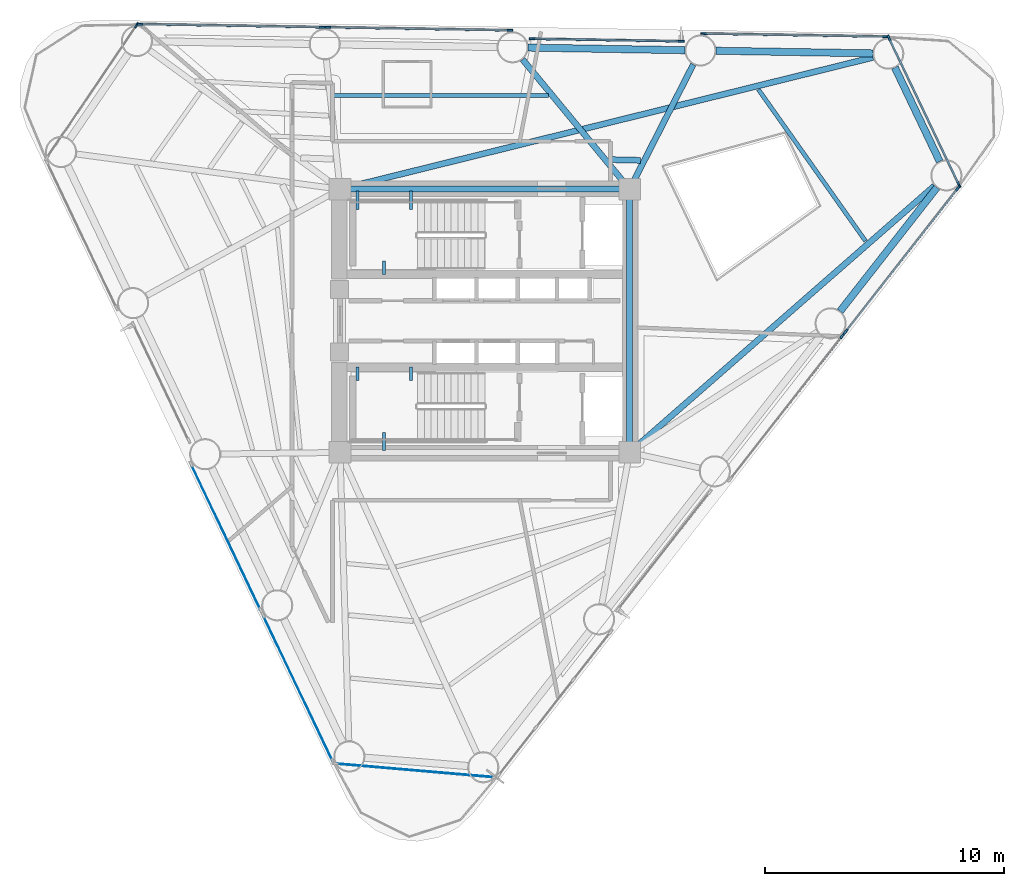
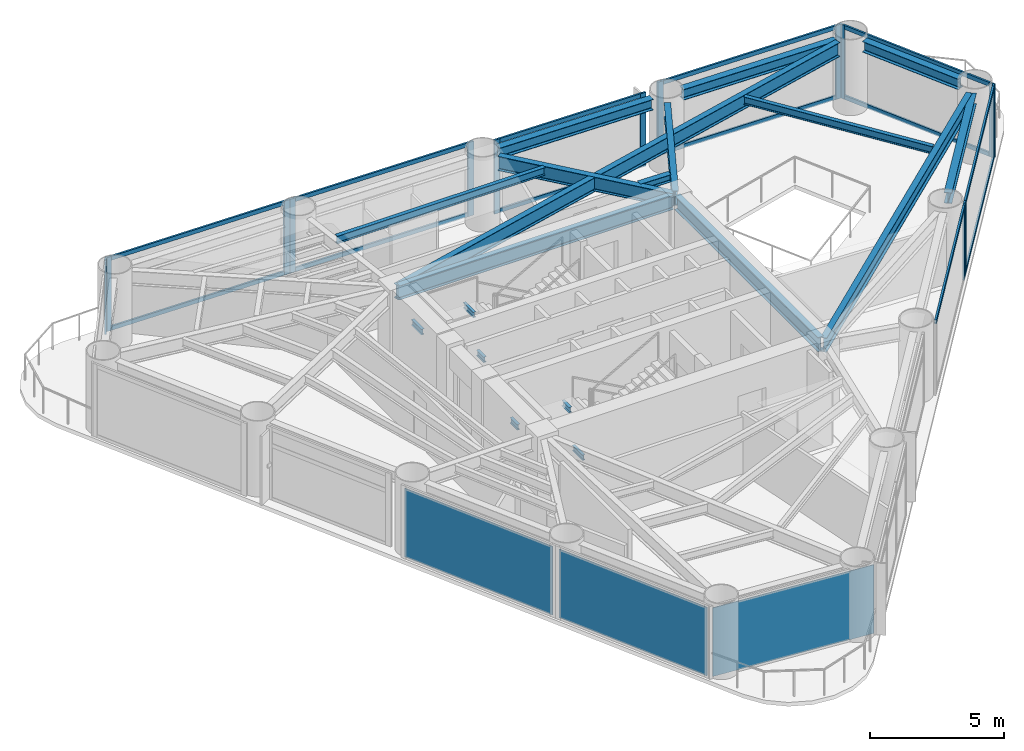
# One storey, part 4 of 10: 28 members, 19 beams, 3 plates, 11 elements without a shape of their own.
"""IFC4 building model written with IfcOpenShell, lengths in metres."""

from ifc_helpers import new_model, si_unit, direction, frame, origin, origin_2d, place, context, subcontext, project, spatial, rectangle, i_section, extrude, source, transform, mapped, material, layer, layer_set, material_profile, profile_set, type_object, element, aggregate, save


model = new_model("IFC4")

# Units and contexts
model_context = context("Model", 3, precision=1e-05, world=origin(), true_north=direction((0.0, 1.0)))
body_context = subcontext(model_context, "Body", "Model", "MODEL_VIEW")
ifc_project = project(units=[si_unit("LENGTHUNIT", "METRE"), si_unit("AREAUNIT", "SQUARE_METRE"), si_unit("VOLUMEUNIT", "CUBIC_METRE"), si_unit("PLANEANGLEUNIT", "RADIAN"), si_unit("MASSUNIT", "GRAM", prefix="KILO")], contexts=[model_context])

# Site, building, storey
site_placement = place(None, origin())
site = spatial("IfcSite", under=ifc_project, at=site_placement, CompositionType="ELEMENT")
building_placement = place(site_placement, origin())
building = spatial("IfcBuilding", under=site, at=building_placement, Name="Yunling Apex Tower", CompositionType="ELEMENT")
storey_placement = place(building_placement, frame((0.0, 0.0, 146.75)))
storey = spatial("IfcBuildingStorey", under=building, at=storey_placement, Name="L36", CompositionType="ELEMENT", Elevation=146.75)

# Beams
ifc_material_1 = material(Name="Steel Q355B", Category="steel")
ifc_material_profile_1 = material_profile(ifc_material_1, i_section(OverallWidth=0.125, OverallDepth=0.25, WebThickness=0.006103515625, FlangeThickness=0.009033203125, FilletRadius=0.011962890625, at=origin_2d()))
ifc_profile_set_1 = profile_set([ifc_material_profile_1], Name="Steel Q355B")
beam_type_1 = type_object("IfcBeamType", Name="BL-LNT-1", PredefinedType="LINTEL", material=ifc_profile_set_1)
shared_shape_1 = source(origin(), body_context, "Body", "SweptSolid", [
    extrude(i_section(OverallWidth=0.125, OverallDepth=0.25, WebThickness=0.006103515625, FlangeThickness=0.009033203125, FilletRadius=0.011962890625, at=origin_2d()), origin(), (0.0, 0.0, 1.0), 0.760009765625),
])
for number, where, z_axis, x_axis, name in (
    (1, (-5.320068359375, 5.419921875, 1.405029296875), (0.0, -1.0, 0.0), (1.0, 0.0, 0.0), "L36 ST-1 Landing Bearing Corbel 1-1"),
    (2, (-3.090087890625, 5.419921875, 1.405029296875), (0.0, -1.0, 0.0), (1.0, 0.0, 0.0), "L36 ST-1 Landing Bearing Corbel 1-2"),
    (3, (-4.205078125, -5.419921875, 1.405029296875), (0.0, 1.0, 0.0), (-1.0, 0.0, 0.0), "L36 ST-2 Landing Bearing Corbel 1-3"),
):
    element("IfcBeam", number, at=place(storey_placement, frame(where, z_axis=z_axis, x_axis=x_axis)), inside=storey, type_object=beam_type_1, Name=name, PredefinedType="LINTEL", context=body_context, shape_type="MappedRepresentation", body=[
        mapped(shared_shape_1, transform((0.0, 0.0, 0.0), scale=1.0)),
    ])
shared_shape_2 = source(origin(), body_context, "Body", "SweptSolid", [
    extrude(i_section(OverallWidth=0.125, OverallDepth=0.25, WebThickness=0.006103515625, FlangeThickness=0.009033203125, FilletRadius=0.011962890625, at=origin_2d()), origin(), (0.0, 0.0, 1.0), 0.550048828125),
])
for number, where, z_axis, x_axis, name in (
    (4, (-4.205078125, 1.93994140625, 1.405029296875), (0.0, 1.0, 0.0), (-1.0, 0.0, 0.0), "L36 ST-1 Landing Bearing Corbel 1-3"),
    (5, (-5.320068359375, -1.93994140625, 1.405029296875), (0.0, -1.0, 0.0), (1.0, 0.0, 0.0), "L36 ST-2 Landing Bearing Corbel 1-1"),
    (6, (-3.090087890625, -1.93994140625, 1.405029296875), (0.0, -1.0, 0.0), (1.0, 0.0, 0.0), "L36 ST-2 Landing Bearing Corbel 1-2"),
):
    element("IfcBeam", number, at=place(storey_placement, frame(where, z_axis=z_axis, x_axis=x_axis)), inside=storey, type_object=beam_type_1, Name=name, PredefinedType="LINTEL", context=body_context, shape_type="MappedRepresentation", body=[
        mapped(shared_shape_2, transform((0.0, 0.0, 0.0), scale=1.0)),
    ])
ifc_material_profile_2 = material_profile(ifc_material_1, i_section(OverallWidth=0.25, OverallDepth=0.64990234375, WebThickness=0.011962890625, FlangeThickness=0.02001953125, FilletRadius=0.02392578125, at=origin_2d()))
ifc_profile_set_2 = profile_set([ifc_material_profile_2], Name="Steel Q355B")
beam_type_2 = type_object("IfcBeamType", Name="BG-PRI-4", PredefinedType="USERDEFINED", material=ifc_profile_set_2)
shared_shape_3 = source(origin(), body_context, "Body", "SweptSolid", [
    extrude(i_section(OverallWidth=0.25, OverallDepth=0.64990234375, WebThickness=0.011962890625, FlangeThickness=0.02001953125, FilletRadius=0.02392578125, at=origin_2d()), origin(), (0.0, 0.0, 1.0), 11.7998046875),
])
beam_1_placement = place(storey_placement, frame((5.89990234375, 5.5, 2.945068359375), z_axis=(-1.0, 0.0, 0.0), x_axis=(0.0, -1.0, 0.0)))
element("IfcBeam", 7, at=beam_1_placement, inside=storey, type_object=beam_type_2, Name="L36 Core Ring Tie Beam 3", ObjectType="GIRDER", PredefinedType="USERDEFINED", context=body_context, shape_type="MappedRepresentation", body=[
    mapped(shared_shape_3, transform((0.0, 0.0, 0.0), scale=1.0)),
])
shared_shape_4 = source(origin(), body_context, "Body", "SweptSolid", [
    extrude(i_section(OverallWidth=0.25, OverallDepth=0.64990234375, WebThickness=0.011962890625, FlangeThickness=0.02001953125, FilletRadius=0.02392578125, at=origin_2d()), origin(), (0.0, 0.0, 1.0), 10.7001953125),
])
beam_2_placement = place(storey_placement, frame((6.050048828125, -5.35009765625, 2.945068359375), z_axis=(0.0, 1.0, 0.0), x_axis=(-1.0, 0.0, 0.0)))
element("IfcBeam", 8, at=beam_2_placement, inside=storey, type_object=beam_type_2, Name="L36 Core Ring Tie Beam 2", ObjectType="GIRDER", PredefinedType="USERDEFINED", context=body_context, shape_type="MappedRepresentation", body=[
    mapped(shared_shape_4, transform((0.0, 0.0, 0.0), scale=1.0)),
])
ifc_material_profile_3 = material_profile(ifc_material_1, i_section(OverallWidth=0.300048828125, OverallDepth=0.489990234375, WebThickness=0.010986328125, FlangeThickness=0.01806640625, FilletRadius=0.02197265625, at=origin_2d()))
ifc_profile_set_3 = profile_set([ifc_material_profile_3], Name="Steel Q355B")
beam_type_3 = type_object("IfcBeamType", Name="BP-SPN-2", PredefinedType="SPANDREL", material=ifc_profile_set_3)
shared_shape_5 = source(origin(), body_context, "Body", "SweptSolid", [
    extrude(i_section(OverallWidth=0.300048828125, OverallDepth=0.489990234375, WebThickness=0.010986328125, FlangeThickness=0.01806640625, FilletRadius=0.02197265625, at=origin_2d()), origin(), (0.0, 0.0, 1.0), 6.562255859375),
])
for number, where, z_axis, x_axis, name in (
    (9, (14.8447265625, 0.400390625, 3.02490234375), (0.616196907529, 0.787592135024, 0.0), (-0.787592135024, 0.616196907529, 0.0), "L36 Perimeter Spandrel Beam 4"),
    (10, (16.214599609375, 11.174560546875, 3.02490234375), (-0.999859845587, 0.016741839275, 0.0), (-0.016741839275, -0.999859845587, 0.0), "L36 Perimeter Spandrel Beam 6"),
):
    element("IfcBeam", number, at=place(storey_placement, frame(where, z_axis=z_axis, x_axis=x_axis)), inside=storey, type_object=beam_type_3, Name=name, PredefinedType="SPANDREL", context=body_context, shape_type="MappedRepresentation", body=[
        mapped(shared_shape_5, transform((0.0, 0.0, 0.0), scale=1.0)),
    ])
shared_shape_6 = source(origin(), body_context, "Body", "SweptSolid", [
    extrude(i_section(OverallWidth=0.300048828125, OverallDepth=0.489990234375, WebThickness=0.010986328125, FlangeThickness=0.01806640625, FilletRadius=0.02197265625, at=origin_2d()), origin(), (0.0, 0.0, 1.0), 6.56201171875),
])
beam_3_placement = place(storey_placement, frame((8.365478515625, 11.305908203125, 3.02490234375), z_axis=(-0.999859211643, 0.016779657083, 0.0), x_axis=(-0.016779657083, -0.999859211643, 0.0)))
element("IfcBeam", 11, at=beam_3_placement, inside=storey, type_object=beam_type_3, Name="L36 Perimeter Spandrel Beam 7", PredefinedType="SPANDREL", context=body_context, shape_type="MappedRepresentation", body=[
    mapped(shared_shape_6, transform((0.0, 0.0, 0.0), scale=1.0)),
])
shared_shape_7 = source(origin(), body_context, "Body", "SweptSolid", [
    extrude(i_section(OverallWidth=0.300048828125, OverallDepth=0.489990234375, WebThickness=0.010986328125, FlangeThickness=0.01806640625, FilletRadius=0.02197265625, at=origin_2d()), origin(), (0.0, 0.0, 1.0), 4.348876953125),
])
beam_4_placement = place(storey_placement, frame((19.0078125, 6.6572265625, 3.02490234375), z_axis=(-0.430473932145, 0.902603010046, 0.0), x_axis=(-0.902603010046, -0.430473932145, 0.0)))
element("IfcBeam", 12, at=beam_4_placement, inside=storey, type_object=beam_type_3, Name="L36 Perimeter Spandrel Beam 5", PredefinedType="SPANDREL", context=body_context, shape_type="MappedRepresentation", body=[
    mapped(shared_shape_7, transform((0.0, 0.0, 0.0), scale=1.0)),
])
shared_shape_8 = source(origin(), body_context, "Body", "SweptSolid", [
    extrude(i_section(OverallWidth=0.25, OverallDepth=0.64990234375, WebThickness=0.011962890625, FlangeThickness=0.02001953125, FilletRadius=0.02392578125, at=origin_2d()), origin(), (0.0, 0.0, 1.0), 16.84521484375),
])
beam_5_placement = place(storey_placement, frame((18.789794921875, 5.642822265625, 2.945068359375), z_axis=(-0.75271314446, -0.658348632684, 0.0), x_axis=(0.658348632684, -0.75271314446, 0.0)))
element("IfcBeam", 13, at=beam_5_placement, inside=storey, type_object=beam_type_2, Name="L36 Radial Primary Girder R05", ObjectType="GIRDER", PredefinedType="USERDEFINED", context=body_context, shape_type="MappedRepresentation", body=[
    mapped(shared_shape_8, transform((0.0, 0.0, 0.0), scale=1.0)),
])
shared_shape_9 = source(origin(), body_context, "Body", "SweptSolid", [
    extrude(i_section(OverallWidth=0.25, OverallDepth=0.64990234375, WebThickness=0.011962890625, FlangeThickness=0.02001953125, FilletRadius=0.02392578125, at=origin_2d()), origin(), (0.0, 0.0, 1.0), 22.860107421875),
])
beam_6_placement = place(storey_placement, frame((16.219482421875, 11.005859375, 2.945068359375), z_axis=(-0.970771198537, -0.240006833426, 0.0), x_axis=(0.240006833426, -0.970771198537, 0.0)))
element("IfcBeam", 14, at=beam_6_placement, inside=storey, type_object=beam_type_2, Name="L36 Radial Primary Girder R06", ObjectType="GIRDER", PredefinedType="USERDEFINED", context=body_context, shape_type="MappedRepresentation", body=[
    mapped(shared_shape_9, transform((0.0, 0.0, 0.0), scale=1.0)),
])
shared_shape_10 = source(origin(), body_context, "Body", "SweptSolid", [
    extrude(i_section(OverallWidth=0.25, OverallDepth=0.64990234375, WebThickness=0.011962890625, FlangeThickness=0.02001953125, FilletRadius=0.02392578125, at=origin_2d()), origin(), (0.0, 0.0, 1.0), 5.76904296875),
])
beam_7_placement = place(storey_placement, frame((8.710205078125, 10.709228515625, 2.945068359375), z_axis=(-0.454797867462, -0.890594688819, 0.0), x_axis=(0.890594688819, -0.454797867462, 0.0)))
element("IfcBeam", 15, at=beam_7_placement, inside=storey, type_object=beam_type_2, Name="L36 Radial Primary Girder R07", ObjectType="GIRDER", PredefinedType="USERDEFINED", context=body_context, shape_type="MappedRepresentation", body=[
    mapped(shared_shape_10, transform((0.0, 0.0, 0.0), scale=1.0)),
])
shared_shape_11 = source(origin(), body_context, "Body", "SweptSolid", [
    extrude(i_section(OverallWidth=0.25, OverallDepth=0.64990234375, WebThickness=0.011962890625, FlangeThickness=0.02001953125, FilletRadius=0.02392578125, at=origin_2d()), origin(), (0.0, 0.0, 1.0), 6.9453125),
])
beam_8_placement = place(storey_placement, frame((1.5791015625, 10.919189453125, 2.945068359375), z_axis=(0.636387137961, -0.771369827409, 0.0), x_axis=(0.771369827409, 0.636387137961, 0.0)))
element("IfcBeam", 16, at=beam_8_placement, inside=storey, type_object=beam_type_2, Name="L36 Radial Primary Girder R08", ObjectType="GIRDER", PredefinedType="USERDEFINED", context=body_context, shape_type="MappedRepresentation", body=[
    mapped(shared_shape_11, transform((0.0, 0.0, 0.0), scale=1.0)),
])
ifc_material_profile_4 = material_profile(ifc_material_1, i_section(OverallWidth=0.175048828125, OverallDepth=0.35009765625, WebThickness=0.007080078125, FlangeThickness=0.010986328125, FilletRadius=0.013916015625, at=origin_2d()))
ifc_profile_set_4 = profile_set([ifc_material_profile_4], Name="Steel Q355B")
beam_type_4 = type_object("IfcBeamType", Name="BJ-JST-1", PredefinedType="JOIST", material=ifc_profile_set_4)
shared_shape_12 = source(origin(), body_context, "Body", "SweptSolid", [
    extrude(i_section(OverallWidth=0.175048828125, OverallDepth=0.35009765625, WebThickness=0.007080078125, FlangeThickness=0.010986328125, FilletRadius=0.013916015625, at=origin_2d()), origin(), (0.0, 0.0, 1.0), 7.7578125),
])
beam_9_placement = place(storey_placement, frame((15.907958984375, 3.33349609375, 3.094970703125), z_axis=(-0.577260058065, 0.816560362351, 0.0), x_axis=(-0.816560362351, -0.577260058065, 0.0)))
element("IfcBeam", 17, at=beam_9_placement, inside=storey, type_object=beam_type_4, Name="L36 Composite Floor Joist BJ1-5", PredefinedType="JOIST", context=body_context, shape_type="MappedRepresentation", body=[
    mapped(shared_shape_12, transform((0.0, 0.0, 0.0), scale=1.0)),
])
ifc_material_profile_5 = material_profile(ifc_material_1, i_section(OverallWidth=0.25, OverallDepth=0.340087890625, WebThickness=0.009033203125, FlangeThickness=0.013916015625, FilletRadius=0.01806640625, at=origin_2d()))
ifc_profile_set_5 = profile_set([ifc_material_profile_5], Name="Steel Q355B")
beam_type_5 = type_object("IfcBeamType", Name="BJ-JST-2", PredefinedType="JOIST", material=ifc_profile_set_5)
shared_shape_13 = source(origin(), body_context, "Body", "SweptSolid", [
    extrude(i_section(OverallWidth=0.25, OverallDepth=0.340087890625, WebThickness=0.009033203125, FlangeThickness=0.013916015625, FilletRadius=0.01806640625, at=origin_2d()), origin(), (0.0, 0.0, 1.0), 1.3173828125),
])
beam_10_placement = place(storey_placement, frame((6.503662109375, 6.705322265625, 3.10009765625), z_axis=(-0.999718560735, 0.023723391875, 0.0), x_axis=(-0.023723391875, -0.999718560735, 0.0)))
element("IfcBeam", 18, at=beam_10_placement, inside=storey, type_object=beam_type_5, Name="L36 Composite Floor Joist BJ2-7", PredefinedType="JOIST", context=body_context, shape_type="MappedRepresentation", body=[
    mapped(shared_shape_13, transform((0.0, 0.0, 0.0), scale=1.0)),
])
shared_shape_14 = source(origin(), body_context, "Body", "SweptSolid", [
    extrude(i_section(OverallWidth=0.175048828125, OverallDepth=0.35009765625, WebThickness=0.007080078125, FlangeThickness=0.010986328125, FilletRadius=0.013916015625, at=origin_2d()), origin(), (0.0, 0.0, 1.0), 8.959228515625),
])
beam_11_placement = place(storey_placement, frame((2.65673828125, 9.4189453125, 3.094970703125), z_axis=(-0.99999980359, -0.000626754107, 0.0), x_axis=(0.000626754107, -0.99999980359, 0.0)))
element("IfcBeam", 19, at=beam_11_placement, inside=storey, type_object=beam_type_4, Name="L36 Composite Floor Joist BJ1-8", PredefinedType="JOIST", context=body_context, shape_type="MappedRepresentation", body=[
    mapped(shared_shape_14, transform((0.0, 0.0, 0.0), scale=1.0)),
])

# Curtain wall, member
ifc_material_2 = material(Name="Bronze anodised aluminium", Category="aluminium")
ifc_layer_1 = layer(ifc_material_2, 0.239990234375)
ifc_layer_set_1 = layer_set([ifc_layer_1], Name="Bronze anodised aluminium")
curtain_wall_type = type_object("IfcCurtainWallType", Name="CW-SYS-3", PredefinedType="NOTDEFINED", material=ifc_layer_set_1)
curtain_wall_1_placement = place(storey_placement, origin())
curtain_wall_1 = element("IfcCurtainWall", 20, at=curtain_wall_1_placement, inside=storey, type_object=curtain_wall_type, Name="CW-L36-F1-B3", PredefinedType="NOTDEFINED")
ifc_material_profile_6 = material_profile(ifc_material_2, rectangle(XDim=0.080078125, YDim=0.239990234375, at=origin_2d()))
ifc_profile_set_6 = profile_set([ifc_material_profile_6], Name="Bronze anodised aluminium")
member_type_1 = type_object("IfcMemberType", Name="CW-MUL-3", PredefinedType="MULLION", material=ifc_profile_set_6)
shared_shape_15 = source(origin(), body_context, "Body", "SweptSolid", [
    extrude(rectangle(XDim=0.080078125, YDim=0.239990234375, at=origin_2d()), origin(), (0.0, 0.0, 1.0), 3.3701171875),
])
member_1_placement = place(storey_placement, frame((14.93310546875, -0.638671875, -0.050048828125), z_axis=(0.0, 0.0, 1.0), x_axis=(-0.787583748686, 0.616207626377, 0.0)))
member_1 = element("IfcMember", 21, at=member_1_placement, type_object=member_type_1, Name="CW-SYS-3 mullion 2", PredefinedType="MULLION", context=body_context, shape_type="MappedRepresentation", body=[
    mapped(shared_shape_15, transform((0.0, 0.0, 0.0), scale=1.0)),
])

# Curtain wall, members
curtain_wall_2_placement = place(storey_placement, origin())
curtain_wall_2 = element("IfcCurtainWall", 22, at=curtain_wall_2_placement, inside=storey, type_object=curtain_wall_type, Name="CW-L36-F1-B4", PredefinedType="NOTDEFINED")
member_2_placement = place(storey_placement, frame((15.0810546875, -0.44970703125, -0.050048828125), z_axis=(0.0, 0.0, 1.0), x_axis=(-0.787583748686, 0.616207626377, 0.0)))
member_2 = element("IfcMember", 23, at=member_2_placement, type_object=member_type_1, Name="CW-SYS-3 mullion 1", PredefinedType="MULLION", context=body_context, shape_type="MappedRepresentation", body=[
    mapped(shared_shape_15, transform((0.0, 0.0, 0.0), scale=1.0)),
])
member_3_placement = place(storey_placement, frame((19.770263671875, 5.5439453125, -0.050048828125), z_axis=(0.0, 0.0, 1.0), x_axis=(-0.787583748686, 0.616207626377, 0.0)))
member_3 = element("IfcMember", 24, at=member_3_placement, type_object=member_type_1, Name="CW-SYS-3 mullion 2", PredefinedType="MULLION", context=body_context, shape_type="MappedRepresentation", body=[
    mapped(shared_shape_15, transform((0.0, 0.0, 0.0), scale=1.0)),
])

curtain_wall_3_placement = place(storey_placement, origin())
curtain_wall_3 = element("IfcCurtainWall", 25, at=curtain_wall_3_placement, inside=storey, type_object=curtain_wall_type, Name="CW-L36-CRN1", PredefinedType="NOTDEFINED")
member_4_placement = place(storey_placement, frame((19.811279296875, 5.68701171875, -0.050048828125), z_axis=(0.0, 0.0, 1.0), x_axis=(-0.902581673296, -0.430518667458, 0.0)))
member_4 = element("IfcMember", 26, at=member_4_placement, type_object=member_type_1, Name="CW-SYS-3 mullion 1", PredefinedType="MULLION", context=body_context, shape_type="MappedRepresentation", body=[
    mapped(shared_shape_15, transform((0.0, 0.0, 0.0), scale=1.0)),
])
member_5_placement = place(storey_placement, frame((16.88720703125, 11.8173828125, -0.050048828125), z_axis=(0.0, 0.0, 1.0), x_axis=(-0.902581673296, -0.430518667458, 0.0)))
member_5 = element("IfcMember", 27, at=member_5_placement, type_object=member_type_1, Name="CW-SYS-3 mullion 2", PredefinedType="MULLION", context=body_context, shape_type="MappedRepresentation", body=[
    mapped(shared_shape_15, transform((0.0, 0.0, 0.0), scale=1.0)),
])

curtain_wall_4_placement = place(storey_placement, origin())
curtain_wall_4 = element("IfcCurtainWall", 28, at=curtain_wall_4_placement, inside=storey, type_object=curtain_wall_type, Name="CW-L36-F2-B1", PredefinedType="NOTDEFINED")
member_6_placement = place(storey_placement, frame((16.75048828125, 11.87548828125, -0.050048828125), z_axis=(0.0, 0.0, 1.0), x_axis=(-0.016761635477, -0.99985951392, 0.0)))
member_6 = element("IfcMember", 29, at=member_6_placement, type_object=member_type_1, Name="CW-SYS-3 mullion 1", PredefinedType="MULLION", context=body_context, shape_type="MappedRepresentation", body=[
    mapped(shared_shape_15, transform((0.0, 0.0, 0.0), scale=1.0)),
])
member_7_placement = place(storey_placement, frame((9.141357421875, 12.003173828125, -0.050048828125), z_axis=(0.0, 0.0, 1.0), x_axis=(-0.016761635477, -0.99985951392, 0.0)))
member_7 = element("IfcMember", 30, at=member_7_placement, type_object=member_type_1, Name="CW-SYS-3 mullion 2", PredefinedType="MULLION", context=body_context, shape_type="MappedRepresentation", body=[
    mapped(shared_shape_15, transform((0.0, 0.0, 0.0), scale=1.0)),
])

curtain_wall_5_placement = place(storey_placement, origin())
curtain_wall_5 = element("IfcCurtainWall", 31, at=curtain_wall_5_placement, inside=storey, type_object=curtain_wall_type, Name="CW-L36-F2-B2", PredefinedType="NOTDEFINED")
member_8_placement = place(storey_placement, frame((8.205810546875, 11.6787109375, -0.050048828125), z_axis=(0.0, 0.0, 1.0), x_axis=(-0.016766539529, -0.999859431696, 0.0)))
member_8 = element("IfcMember", 32, at=member_8_placement, type_object=member_type_1, Name="CW-SYS-3 mullion 1", PredefinedType="MULLION", context=body_context, shape_type="MappedRepresentation", body=[
    mapped(shared_shape_15, transform((0.0, 0.0, 0.0), scale=1.0)),
])
member_9_placement = place(storey_placement, frame((1.9765625, 11.783203125, -0.050048828125), z_axis=(0.0, 0.0, 1.0), x_axis=(-0.016766539529, -0.999859431696, 0.0)))
member_9 = element("IfcMember", 33, at=member_9_placement, type_object=member_type_1, Name="CW-SYS-3 mullion 2", PredefinedType="MULLION", context=body_context, shape_type="MappedRepresentation", body=[
    mapped(shared_shape_15, transform((0.0, 0.0, 0.0), scale=1.0)),
])

curtain_wall_6_placement = place(storey_placement, origin())
curtain_wall_6 = element("IfcCurtainWall", 34, at=curtain_wall_6_placement, inside=storey, type_object=curtain_wall_type, Name="CW-L36-F2-B3", PredefinedType="NOTDEFINED")
member_10_placement = place(storey_placement, frame((1.052490234375, 12.138671875, -0.050048828125), z_axis=(0.0, 0.0, 1.0), x_axis=(-0.016761635477, -0.99985951392, 0.0)))
member_10 = element("IfcMember", 35, at=member_10_placement, type_object=member_type_1, Name="CW-SYS-3 mullion 1", PredefinedType="MULLION", context=body_context, shape_type="MappedRepresentation", body=[
    mapped(shared_shape_15, transform((0.0, 0.0, 0.0), scale=1.0)),
])
member_11_placement = place(storey_placement, frame((-6.556640625, 12.266357421875, -0.050048828125), z_axis=(0.0, 0.0, 1.0), x_axis=(-0.016761635477, -0.99985951392, 0.0)))
member_11 = element("IfcMember", 36, at=member_11_placement, type_object=member_type_1, Name="CW-SYS-3 mullion 2", PredefinedType="MULLION", context=body_context, shape_type="MappedRepresentation", body=[
    mapped(shared_shape_15, transform((0.0, 0.0, 0.0), scale=1.0)),
])

curtain_wall_7_placement = place(storey_placement, origin())
curtain_wall_7 = element("IfcCurtainWall", 37, at=curtain_wall_7_placement, inside=storey, type_object=curtain_wall_type, Name="CW-L36-F2-B4", PredefinedType="NOTDEFINED")
member_12_placement = place(storey_placement, frame((-6.796630859375, 12.270263671875, -0.050048828125), z_axis=(0.0, 0.0, 1.0), x_axis=(-0.016761635477, -0.99985951392, 0.0)))
member_12 = element("IfcMember", 38, at=member_12_placement, type_object=member_type_1, Name="CW-SYS-3 mullion 1", PredefinedType="MULLION", context=body_context, shape_type="MappedRepresentation", body=[
    mapped(shared_shape_15, transform((0.0, 0.0, 0.0), scale=1.0)),
])
member_13_placement = place(storey_placement, frame((-14.40576171875, 12.39794921875, -0.050048828125), z_axis=(0.0, 0.0, 1.0), x_axis=(-0.016761635477, -0.99985951392, 0.0)))
member_13 = element("IfcMember", 39, at=member_13_placement, type_object=member_type_1, Name="CW-SYS-3 mullion 2", PredefinedType="MULLION", context=body_context, shape_type="MappedRepresentation", body=[
    mapped(shared_shape_15, transform((0.0, 0.0, 0.0), scale=1.0)),
])

# Curtain wall, member
curtain_wall_8_placement = place(storey_placement, origin())
curtain_wall_8 = element("IfcCurtainWall", 40, at=curtain_wall_8_placement, inside=storey, type_object=curtain_wall_type, Name="CW-L36-CRN2", PredefinedType="NOTDEFINED")
member_14_placement = place(storey_placement, frame((-14.54833984375, 12.3466796875, -0.050048828125), z_axis=(0.0, 0.0, 1.0), x_axis=(0.82813882115, -0.560523052964, 0.0)))
member_14 = element("IfcMember", 41, at=member_14_placement, type_object=member_type_1, Name="CW-SYS-3 mullion 1", PredefinedType="MULLION", context=body_context, shape_type="MappedRepresentation", body=[
    mapped(shared_shape_15, transform((0.0, 0.0, 0.0), scale=1.0)),
])
aggregate(curtain_wall_8, [member_14])

# Member
ifc_material_profile_7 = material_profile(ifc_material_2, rectangle(XDim=0.080078125, YDim=0.18505859375, at=origin_2d()))
ifc_profile_set_7 = profile_set([ifc_material_profile_7], Name="Bronze anodised aluminium")
member_type_2 = type_object("IfcMemberType", Name="CW-TRN-3", PredefinedType="USERDEFINED", material=ifc_profile_set_7)
shared_shape_16 = source(origin(), body_context, "Body", "SweptSolid", [
    extrude(rectangle(XDim=0.080078125, YDim=0.18505859375, at=origin_2d()), origin(), (0.0, 0.0, 1.0), 7.5380859375),
])
member_15_placement = place(storey_placement, frame((10.265869140625, -6.603759765625, 3.22998046875), z_axis=(0.616213940974, 0.787578808088, 0.0), x_axis=(-0.787578808088, 0.616213940974, 0.0)))
member_15 = element("IfcMember", 42, at=member_15_placement, type_object=member_type_2, Name="CW-SYS-3 transom 1.2", ObjectType="TRANSOM", PredefinedType="USERDEFINED", context=body_context, shape_type="MappedRepresentation", body=[
    mapped(shared_shape_16, transform((0.0, 0.0, 0.0), scale=1.0)),
])

aggregate(curtain_wall_1, [member_1, member_15])

member_16_placement = place(storey_placement, frame((15.10302734375, -0.421142578125, 0.0400390625), z_axis=(0.616213940974, 0.787578808088, 0.0), x_axis=(-0.787578808088, 0.616213940974, 0.0)))
member_16 = element("IfcMember", 43, at=member_16_placement, type_object=member_type_2, Name="CW-SYS-3 transom 1.1", ObjectType="TRANSOM", PredefinedType="USERDEFINED", context=body_context, shape_type="MappedRepresentation", body=[
    mapped(shared_shape_16, transform((0.0, 0.0, 0.0), scale=1.0)),
])

member_17_placement = place(storey_placement, frame((15.10302734375, -0.421142578125, 3.22998046875), z_axis=(0.616213940974, 0.787578808088, 0.0), x_axis=(-0.787578808088, 0.616213940974, 0.0)))
member_17 = element("IfcMember", 44, at=member_17_placement, type_object=member_type_2, Name="CW-SYS-3 transom 1.2", ObjectType="TRANSOM", PredefinedType="USERDEFINED", context=body_context, shape_type="MappedRepresentation", body=[
    mapped(shared_shape_16, transform((0.0, 0.0, 0.0), scale=1.0)),
])

aggregate(curtain_wall_2, [member_2, member_3, member_16, member_17])

member_18_placement = place(storey_placement, frame((16.71435546875, 11.876220703125, 0.0400390625), z_axis=(-0.999859805743, 0.016744218696, 0.0), x_axis=(-0.016744218696, -0.999859805743, 0.0)))
member_18 = element("IfcMember", 45, at=member_18_placement, type_object=member_type_2, Name="CW-SYS-3 transom 1.1", ObjectType="TRANSOM", PredefinedType="USERDEFINED", context=body_context, shape_type="MappedRepresentation", body=[
    mapped(shared_shape_16, transform((0.0, 0.0, 0.0), scale=1.0)),
])

member_19_placement = place(storey_placement, frame((16.71435546875, 11.876220703125, 3.22998046875), z_axis=(-0.999859805743, 0.016744218696, 0.0), x_axis=(-0.016744218696, -0.999859805743, 0.0)))
member_19 = element("IfcMember", 46, at=member_19_placement, type_object=member_type_2, Name="CW-SYS-3 transom 1.2", ObjectType="TRANSOM", PredefinedType="USERDEFINED", context=body_context, shape_type="MappedRepresentation", body=[
    mapped(shared_shape_16, transform((0.0, 0.0, 0.0), scale=1.0)),
])

aggregate(curtain_wall_4, [member_6, member_7, member_18, member_19])

member_20_placement = place(storey_placement, frame((1.016357421875, 12.139404296875, 0.0400390625), z_axis=(-0.999859805743, 0.016744218696, 0.0), x_axis=(-0.016744218696, -0.999859805743, 0.0)))
member_20 = element("IfcMember", 47, at=member_20_placement, type_object=member_type_2, Name="CW-SYS-3 transom 1.1", ObjectType="TRANSOM", PredefinedType="USERDEFINED", context=body_context, shape_type="MappedRepresentation", body=[
    mapped(shared_shape_16, transform((0.0, 0.0, 0.0), scale=1.0)),
])

member_21_placement = place(storey_placement, frame((1.016357421875, 12.139404296875, 3.22998046875), z_axis=(-0.999859805743, 0.016744218696, 0.0), x_axis=(-0.016744218696, -0.999859805743, 0.0)))
member_21 = element("IfcMember", 48, at=member_21_placement, type_object=member_type_2, Name="CW-SYS-3 transom 1.2", ObjectType="TRANSOM", PredefinedType="USERDEFINED", context=body_context, shape_type="MappedRepresentation", body=[
    mapped(shared_shape_16, transform((0.0, 0.0, 0.0), scale=1.0)),
])

aggregate(curtain_wall_6, [member_10, member_11, member_20, member_21])

member_22_placement = place(storey_placement, frame((-6.83251953125, 12.27099609375, 0.0400390625), z_axis=(-0.999859805743, 0.016744218696, 0.0), x_axis=(-0.016744218696, -0.999859805743, 0.0)))
member_22 = element("IfcMember", 49, at=member_22_placement, type_object=member_type_2, Name="CW-SYS-3 transom 1.1", ObjectType="TRANSOM", PredefinedType="USERDEFINED", context=body_context, shape_type="MappedRepresentation", body=[
    mapped(shared_shape_16, transform((0.0, 0.0, 0.0), scale=1.0)),
])

member_23_placement = place(storey_placement, frame((-6.83251953125, 12.27099609375, 3.22998046875), z_axis=(-0.999859805743, 0.016744218696, 0.0), x_axis=(-0.016744218696, -0.999859805743, 0.0)))
member_23 = element("IfcMember", 50, at=member_23_placement, type_object=member_type_2, Name="CW-SYS-3 transom 1.2", ObjectType="TRANSOM", PredefinedType="USERDEFINED", context=body_context, shape_type="MappedRepresentation", body=[
    mapped(shared_shape_16, transform((0.0, 0.0, 0.0), scale=1.0)),
])

aggregate(curtain_wall_7, [member_12, member_13, member_22, member_23])

shared_shape_17 = source(origin(), body_context, "Body", "SweptSolid", [
    extrude(rectangle(XDim=0.080078125, YDim=0.18505859375, at=origin_2d()), origin(), (0.0, 0.0, 1.0), 6.719970703125),
])
member_24_placement = place(storey_placement, frame((19.7958984375, 5.719482421875, 0.0400390625), z_axis=(-0.430511684766, 0.902585003908, 0.0), x_axis=(-0.902585003908, -0.430511684766, 0.0)))
member_24 = element("IfcMember", 51, at=member_24_placement, type_object=member_type_2, Name="CW-SYS-3 transom 1.1", ObjectType="TRANSOM", PredefinedType="USERDEFINED", context=body_context, shape_type="MappedRepresentation", body=[
    mapped(shared_shape_17, transform((0.0, 0.0, 0.0), scale=1.0)),
])

member_25_placement = place(storey_placement, frame((19.7958984375, 5.719482421875, 3.22998046875), z_axis=(-0.430511684766, 0.902585003908, 0.0), x_axis=(-0.902585003908, -0.430511684766, 0.0)))
member_25 = element("IfcMember", 52, at=member_25_placement, type_object=member_type_2, Name="CW-SYS-3 transom 1.2", ObjectType="TRANSOM", PredefinedType="USERDEFINED", context=body_context, shape_type="MappedRepresentation", body=[
    mapped(shared_shape_17, transform((0.0, 0.0, 0.0), scale=1.0)),
])

aggregate(curtain_wall_3, [member_4, member_5, member_24, member_25])

shared_shape_18 = source(origin(), body_context, "Body", "SweptSolid", [
    extrude(rectangle(XDim=0.080078125, YDim=0.18505859375, at=origin_2d()), origin(), (0.0, 0.0, 1.0), 6.158447265625),
])
member_26_placement = place(storey_placement, frame((8.169921875, 11.679443359375, 0.0400390625), z_axis=(-0.99985938407, 0.016769379464, 0.0), x_axis=(-0.016769379464, -0.99985938407, 0.0)))
member_26 = element("IfcMember", 53, at=member_26_placement, type_object=member_type_2, Name="CW-SYS-3 transom 1.1", ObjectType="TRANSOM", PredefinedType="USERDEFINED", context=body_context, shape_type="MappedRepresentation", body=[
    mapped(shared_shape_18, transform((0.0, 0.0, 0.0), scale=1.0)),
])

member_27_placement = place(storey_placement, frame((8.169921875, 11.679443359375, 2.485107421875), z_axis=(-0.99985938407, 0.016769379464, 0.0), x_axis=(-0.016769379464, -0.99985938407, 0.0)))
member_27 = element("IfcMember", 54, at=member_27_placement, type_object=member_type_2, Name="CW-SYS-3 transom 1.2", ObjectType="TRANSOM", PredefinedType="USERDEFINED", context=body_context, shape_type="MappedRepresentation", body=[
    mapped(shared_shape_18, transform((0.0, 0.0, 0.0), scale=1.0)),
])

member_28_placement = place(storey_placement, frame((8.169921875, 11.679443359375, 3.22998046875), z_axis=(-0.99985938407, 0.016769379464, 0.0), x_axis=(-0.016769379464, -0.99985938407, 0.0)))
member_28 = element("IfcMember", 55, at=member_28_placement, type_object=member_type_2, Name="CW-SYS-3 transom 1.3", ObjectType="TRANSOM", PredefinedType="USERDEFINED", context=body_context, shape_type="MappedRepresentation", body=[
    mapped(shared_shape_18, transform((0.0, 0.0, 0.0), scale=1.0)),
])

aggregate(curtain_wall_5, [member_8, member_9, member_26, member_27, member_28])

# Curtain wall, plate
curtain_wall_9_placement = place(storey_placement, origin())
curtain_wall_9 = element("IfcCurtainWall", 56, at=curtain_wall_9_placement, inside=storey, type_object=curtain_wall_type, Name="CW-L36-F3-B3", PredefinedType="NOTDEFINED")
ifc_material_3 = material(Name="Bronze tinted low-E glass", Category="glass")
ifc_layer_2 = layer(ifc_material_3, 0.031982421875)
ifc_layer_set_2 = layer_set([ifc_layer_2], Name="Bronze tinted low-E glass")
plate_type = type_object("IfcPlateType", Name="CW-PNL-3", PredefinedType="CURTAIN_PANEL", material=ifc_layer_set_2)
shared_shape_19 = source(origin(), body_context, "Body", "SweptSolid", [
    extrude(rectangle(XDim=6.691650390625, YDim=0.031982421875, at=origin_2d()), origin(), (0.0, 0.0, 1.0), 3.1259765625),
])
plate_1_placement = place(storey_placement, frame((-10.820068359375, -9.036376953125, 0.072021484375), z_axis=(0.0, 0.0, 1.0), x_axis=(0.430493977743, -0.902593449526, 0.0)))
plate_1 = element("IfcPlate", 57, at=plate_1_placement, type_object=plate_type, Name="CW-SYS-3 panel 1.1", PredefinedType="CURTAIN_PANEL", context=body_context, shape_type="MappedRepresentation", body=[
    mapped(shared_shape_19, transform((0.0, 0.0, 0.0), scale=1.0)),
])
aggregate(curtain_wall_9, [plate_1])

curtain_wall_10_placement = place(storey_placement, origin())
curtain_wall_10 = element("IfcCurtainWall", 58, at=curtain_wall_10_placement, inside=storey, type_object=curtain_wall_type, Name="CW-L36-F3-B4", PredefinedType="NOTDEFINED")
plate_2_placement = place(storey_placement, frame((-7.80859375, -15.350341796875, 0.072021484375), z_axis=(0.0, 0.0, 1.0), x_axis=(0.430511580192, -0.902585053788, 0.0)))
plate_2 = element("IfcPlate", 59, at=plate_2_placement, type_object=plate_type, Name="CW-SYS-3 panel 1.1", PredefinedType="CURTAIN_PANEL", context=body_context, shape_type="MappedRepresentation", body=[
    mapped(shared_shape_19, transform((0.0, 0.0, 0.0), scale=1.0)),
])
aggregate(curtain_wall_10, [plate_2])

curtain_wall_11_placement = place(storey_placement, origin())
curtain_wall_11 = element("IfcCurtainWall", 60, at=curtain_wall_11_placement, inside=storey, type_object=curtain_wall_type, Name="CW-L36-CRN3", PredefinedType="NOTDEFINED")
shared_shape_20 = source(origin(), body_context, "Body", "SweptSolid", [
    extrude(rectangle(XDim=6.64501953125, YDim=0.031982421875, at=origin_2d()), origin(), (0.0, 0.0, 1.0), 3.1259765625),
])
plate_3_placement = place(storey_placement, frame((-2.902587890625, -18.789306640625, 0.072021484375), z_axis=(0.0, 0.0, 1.0), x_axis=(0.996333853808, -0.085550287883, 0.0)))
plate_3 = element("IfcPlate", 61, at=plate_3_placement, type_object=plate_type, Name="CW-SYS-3 panel 1.1", PredefinedType="CURTAIN_PANEL", context=body_context, shape_type="MappedRepresentation", body=[
    mapped(shared_shape_20, transform((0.0, 0.0, 0.0), scale=1.0)),
])
aggregate(curtain_wall_11, [plate_3])

save(model, "model.ifc")
